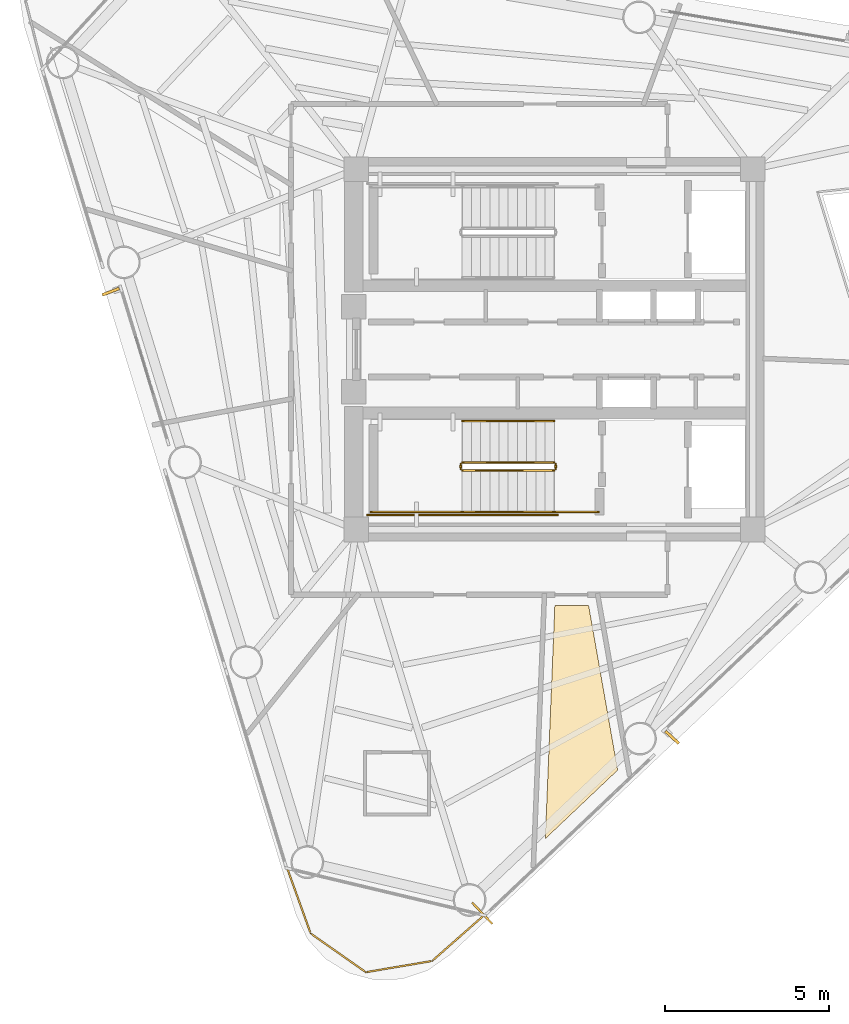
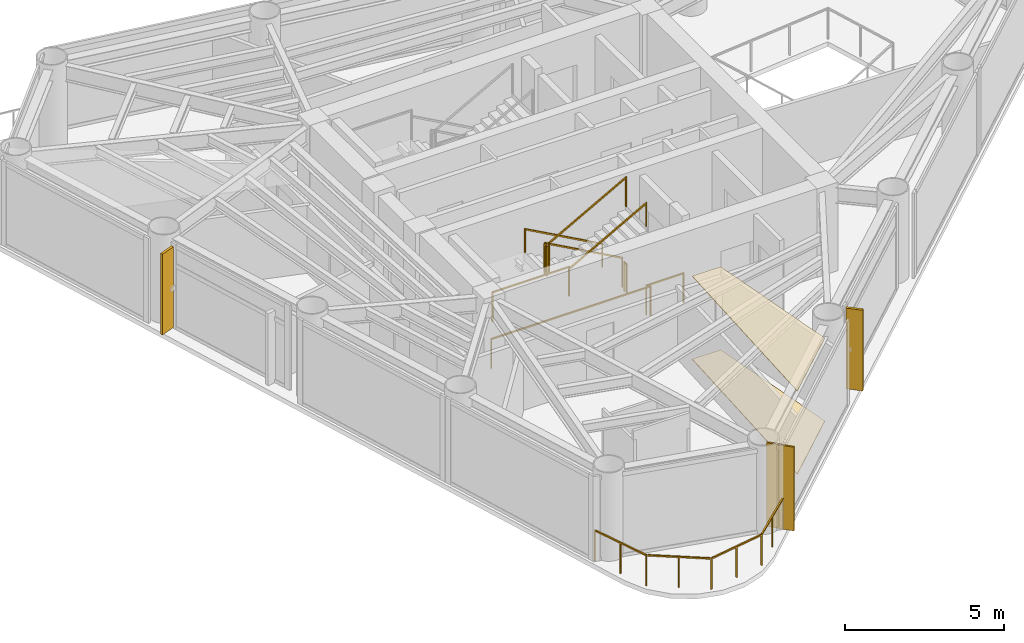
# One storey, part 7 of 9: 10 railings, 3 coverings, 2 shading devices.
"""IFC4 building model written with IfcOpenShell, lengths in metres."""

from ifc_helpers import new_model, si_unit, direction, frame, origin, origin_2d, place, context, subcontext, project, spatial, polyline, rectangle, outline, extrude, source, transform, mapped, material, layer, layer_set, material_profile, profile_set, type_object, element, save


model = new_model("IFC4")

# Units and contexts
model_context = context("Model", 3, precision=1e-05, world=origin(), true_north=direction((0.0, 1.0)))
body_context = subcontext(model_context, "Body", "Model", "MODEL_VIEW")
ifc_project = project(units=[si_unit("LENGTHUNIT", "METRE"), si_unit("AREAUNIT", "SQUARE_METRE"), si_unit("VOLUMEUNIT", "CUBIC_METRE"), si_unit("PLANEANGLEUNIT", "RADIAN"), si_unit("MASSUNIT", "GRAM", prefix="KILO")], contexts=[model_context])

# Site, building, storey
site_placement = place(None, origin())
site = spatial("IfcSite", under=ifc_project, at=site_placement, CompositionType="ELEMENT")
building_placement = place(site_placement, origin())
building = spatial("IfcBuilding", under=site, at=building_placement, Name="Yunling Apex Tower", CompositionType="ELEMENT")
storey_placement = place(building_placement, frame((0.0, 0.0, 245.64990234375)))
storey = spatial("IfcBuildingStorey", under=building, at=storey_placement, Name="L60", CompositionType="ELEMENT", Elevation=245.64990234375)

# Coverings
ifc_material_1 = material(Name="Acoustic mineral fibre ceiling")
ifc_layer_1 = layer(ifc_material_1, 0.02490234375)
ifc_layer_set_1 = layer_set([ifc_layer_1], Name="Acoustic mineral fibre ceiling")
covering_type_1 = type_object("IfcCoveringType", Name="CV-CLG-1", PredefinedType="CEILING", material=ifc_layer_set_1)
covering_1_placement = place(storey_placement, frame((0.0, 0.0, 3.195068359375)))
element("IfcCovering", 1, at=covering_1_placement, inside=storey, type_object=covering_type_1, Name="CV-CL-SP-L60-AMN3", PredefinedType="CEILING", context=body_context, shape_type="SweptSolid", body=[
    extrude(outline(polyline([(1.9296875, -12.84423828125), (-0.2783203125, -14.936767578125), (0.01171875, -7.820068359375), (1.043701171875, -7.820068359375), (1.9296875, -12.84423828125)])), origin(), (0.0, 0.0, 1.0), 0.025146484375),
])
ifc_material_2 = material(Name="Polished granite stone", Category="masonry")
ifc_layer_2 = layer(ifc_material_2, 0.030029296875)
ifc_layer_set_2 = layer_set([ifc_layer_2], Name="Polished granite stone")
covering_type_2 = type_object("IfcCoveringType", Name="CV-FLR-1", PredefinedType="FLOORING", material=ifc_layer_set_2)
covering_2_placement = place(storey_placement, origin())
element("IfcCovering", 2, at=covering_2_placement, inside=storey, type_object=covering_type_2, Name="CV-FL-SP-L60-AMN3", PredefinedType="FLOORING", context=body_context, shape_type="SweptSolid", body=[
    extrude(outline(polyline([(1.9296875, -12.84423828125), (-0.2783203125, -14.936767578125), (0.01171875, -7.820068359375), (1.043701171875, -7.820068359375), (1.9296875, -12.84423828125)])), origin(), (0.0, 0.0, 1.0), 0.030029296875),
])

# Railings
ifc_material_3 = material(Name="Bronze anodised aluminium", Category="aluminium")
railing_type_1 = type_object("IfcRailingType", Name="RL-BAL-1200", PredefinedType="BALUSTRADE", material=ifc_material_3)
railing_1_placement = place(storey_placement, frame((-2.147216796875, -17.2724609375, 0.0)))
element("IfcRailing", 3, at=railing_1_placement, inside=storey, type_object=railing_type_1, Name="RL-CRNSILL-L60-3", PredefinedType="BALUSTRADE", context=body_context, shape_type="SweptSolid", body=[
    extrude(rectangle(XDim=0.0439453125, YDim=0.0439453125, at=origin_2d()), origin(), (0.0, 0.0, 1.0), 1.199951171875),
    extrude(rectangle(XDim=0.0439453125, YDim=0.0439453125, at=origin_2d()), frame((-1.58740234375, -1.396728515625, 0.0)), (0.0, 0.0, 1.0), 1.199951171875),
    extrude(rectangle(XDim=0.050048828125, YDim=0.050048828125, at=origin_2d()), frame((-0.02880859375, -0.025390625, 1.1748046875), z_axis=(-0.750757036125, -0.660578437968, 0.0), x_axis=(0.660578437968, -0.750757036125, 0.0)), (0.0, 0.0, 1.0), 2.037841796875),
    extrude(rectangle(XDim=0.0439453125, YDim=0.0439453125, at=origin_2d()), frame((-0.793701171875, -0.6982421875, 0.0)), (0.0, 0.0, 1.0), 1.14599609375),
    extrude(rectangle(XDim=0.0439453125, YDim=0.0439453125, at=origin_2d()), frame((-3.609130859375, -1.738525390625, 0.0)), (0.0, 0.0, 1.0), 1.199951171875),
    extrude(rectangle(XDim=0.050048828125, YDim=0.050048828125, at=origin_2d()), frame((-1.625244140625, -1.403076171875, 1.1748046875), z_axis=(-0.986008296857, -0.166696246299, 0.0), x_axis=(0.166696246299, -0.986008296857, 0.0)), (0.0, 0.0, 1.0), 1.973876953125),
    extrude(rectangle(XDim=0.0439453125, YDim=0.0439453125, at=origin_2d()), frame((-2.59814453125, -1.567626953125, 0.0)), (0.0, 0.0, 1.0), 1.14599609375),
    extrude(rectangle(XDim=0.0439453125, YDim=0.0439453125, at=origin_2d()), frame((-5.29296875, -0.556884765625, 0.0)), (0.0, 0.0, 1.0), 1.199951171875),
    extrude(rectangle(XDim=0.050048828125, YDim=0.050048828125, at=origin_2d()), frame((-3.640625, -1.716552734375, 1.1748046875), z_axis=(-0.818556692462, 0.574425749096, 0.0), x_axis=(-0.574425749096, -0.818556692462, 0.0)), (0.0, 0.0, 1.0), 1.98046875),
    extrude(rectangle(XDim=0.0439453125, YDim=0.0439453125, at=origin_2d()), frame((-4.451171875, -1.147705078125, 0.0)), (0.0, 0.0, 1.0), 1.14599609375),
    extrude(rectangle(XDim=0.0439453125, YDim=0.0439453125, at=origin_2d()), frame((-6.0087890625, 1.431884765625, 0.0)), (0.0, 0.0, 1.0), 1.199951171875),
    extrude(rectangle(XDim=0.050048828125, YDim=0.050048828125, at=origin_2d()), frame((-5.305908203125, -0.520751953125, 1.1748046875), z_axis=(-0.338662205699, 0.940908024427, 0.0), x_axis=(-0.940908024427, -0.338662205699, 0.0)), (0.0, 0.0, 1.0), 2.037109375),
    extrude(rectangle(XDim=0.0439453125, YDim=0.0439453125, at=origin_2d()), frame((-5.65087890625, 0.4375, 0.0)), (0.0, 0.0, 1.0), 1.14599609375),
])
ifc_material_4 = material(Name="Steel Q355B", Category="steel")
railing_type_2 = type_object("IfcRailingType", Name="RL-GRD-1150", PredefinedType="GUARDRAIL", material=ifc_material_4)
railing_2_placement = place(storey_placement, frame((-0.010009765625, -3.449951171875, 0.154541015625)))
element("IfcRailing", 4, at=railing_2_placement, inside=storey, type_object=railing_type_2, Name="L60 ST-2 stair guard 1", PredefinedType="GUARDRAIL", context=body_context, shape_type="SweptSolid", body=[
    extrude(rectangle(XDim=0.0439453125, YDim=0.0439453125, at=origin_2d()), origin(), (0.0, 0.0, 1.0), 1.14990234375),
    extrude(rectangle(XDim=0.0439453125, YDim=0.0439453125, at=origin_2d()), frame((-2.800048828125, 0.0, 1.545654296875)), (0.0, 0.0, 1.0), 1.14990234375),
    extrude(rectangle(XDim=0.050048828125, YDim=0.050048828125, at=origin_2d()), frame((-0.033447265625, 0.0, 1.143310546875), z_axis=(-0.875471895205, 0.0, 0.483269035534), x_axis=(0.0, -1.0, 0.0)), (0.0, 0.0, 1.0), 3.12158203125),
])
railing_3_placement = place(storey_placement, frame((-2.860107421875, -3.5, 1.7001953125)))
element("IfcRailing", 5, at=railing_3_placement, inside=storey, type_object=railing_type_2, Name="L60 ST-2 stair guard 2", PredefinedType="GUARDRAIL", context=body_context, shape_type="SweptSolid", body=[
    extrude(rectangle(XDim=0.0439453125, YDim=0.0439453125, at=origin_2d()), origin(), (0.0, 0.0, 1.0), 1.14990234375),
    extrude(rectangle(XDim=0.0439453125, YDim=0.0439453125, at=origin_2d()), frame((0.0, -0.14990234375, 0.0)), (0.0, 0.0, 1.0), 1.14990234375),
    extrude(rectangle(XDim=0.050048828125, YDim=0.050048828125, at=origin_2d()), frame((0.0, -0.038330078125, 1.125), z_axis=(0.0, -1.0, 0.0), x_axis=(1.0, 0.0, 0.0)), (0.0, 0.0, 1.0), 0.0732421875),
])
railing_4_placement = place(storey_placement, frame((-2.81005859375, -4.9599609375, 1.7001953125)))
element("IfcRailing", 6, at=railing_4_placement, inside=storey, type_object=railing_type_2, Name="L60 ST-2 stair guard 3", PredefinedType="GUARDRAIL", context=body_context, shape_type="SweptSolid", body=[
    extrude(rectangle(XDim=0.0439453125, YDim=0.0439453125, at=origin_2d()), origin(), (0.0, 0.0, 1.0), 1.14990234375),
    extrude(rectangle(XDim=0.0439453125, YDim=0.0439453125, at=origin_2d()), frame((-2.7900390625, 0.0, 0.0)), (0.0, 0.0, 1.0), 1.14990234375),
    extrude(rectangle(XDim=0.050048828125, YDim=0.050048828125, at=origin_2d()), frame((-0.038330078125, 0.0, 1.125), z_axis=(-1.0, 0.0, 0.0), x_axis=(0.0, -1.0, 0.0)), (0.0, 0.0, 1.0), 2.71337890625),
])
railing_5_placement = place(storey_placement, frame((-2.81005859375, -3.699951171875, 1.854736328125)))
element("IfcRailing", 7, at=railing_5_placement, inside=storey, type_object=railing_type_2, Name="L60 ST-2 stair guard 4", PredefinedType="GUARDRAIL", context=body_context, shape_type="SweptSolid", body=[
    extrude(rectangle(XDim=0.0439453125, YDim=0.0439453125, at=origin_2d()), origin(), (0.0, 0.0, 1.0), 1.14990234375),
    extrude(rectangle(XDim=0.0439453125, YDim=0.0439453125, at=origin_2d()), frame((2.800048828125, 0.0, 1.54541015625)), (0.0, 0.0, 1.0), 1.14990234375),
    extrude(rectangle(XDim=0.050048828125, YDim=0.050048828125, at=origin_2d()), frame((0.033447265625, 0.0, 1.143310546875), z_axis=(0.875504190374, 0.0, 0.483210526207), x_axis=(0.0, 1.0, 0.0)), (0.0, 0.0, 1.0), 3.12158203125),
])
railing_6_placement = place(storey_placement, frame((0.0400390625, -3.5, 0.0)))
element("IfcRailing", 8, at=railing_6_placement, inside=storey, type_object=railing_type_2, Name="L60 ST-2 stair guard 5", PredefinedType="GUARDRAIL", context=body_context, shape_type="SweptSolid", body=[
    extrude(rectangle(XDim=0.0439453125, YDim=0.0439453125, at=origin_2d()), origin(), (0.0, 0.0, 1.0), 1.14990234375),
    extrude(rectangle(XDim=0.0439453125, YDim=0.0439453125, at=origin_2d()), frame((0.0, -0.14990234375, 0.0)), (0.0, 0.0, 1.0), 1.14990234375),
    extrude(rectangle(XDim=0.050048828125, YDim=0.050048828125, at=origin_2d()), frame((0.0, -0.038330078125, 1.125), z_axis=(0.0, -1.0, 0.0), x_axis=(1.0, 0.0, 0.0)), (0.0, 0.0, 1.0), 0.0732421875),
])
railing_7_placement = place(storey_placement, frame((1.35009765625, -4.9599609375, 0.0)))
element("IfcRailing", 9, at=railing_7_placement, inside=storey, type_object=railing_type_2, Name="L60 ST-2 stair guard 6", PredefinedType="GUARDRAIL", context=body_context, shape_type="SweptSolid", body=[
    extrude(rectangle(XDim=0.0439453125, YDim=0.0439453125, at=origin_2d()), origin(), (0.0, 0.0, 1.0), 1.14990234375),
    extrude(rectangle(XDim=0.0439453125, YDim=0.0439453125, at=origin_2d()), frame((-1.360107421875, 0.0, 0.0)), (0.0, 0.0, 1.0), 1.14990234375),
    extrude(rectangle(XDim=0.050048828125, YDim=0.050048828125, at=origin_2d()), frame((-0.038330078125, 0.0, 1.125), z_axis=(-1.0, 0.0, 0.0), x_axis=(0.0, -1.0, 0.0)), (0.0, 0.0, 1.0), 1.283447265625),
])
railing_8_placement = place(storey_placement, frame((0.090087890625, -5.06005859375, 0.0)))
element("IfcRailing", 10, at=railing_8_placement, inside=storey, type_object=railing_type_2, Name="L60 ST-2 stair guard 7", PredefinedType="GUARDRAIL", context=body_context, shape_type="SweptSolid", body=[
    extrude(rectangle(XDim=0.0439453125, YDim=0.0439453125, at=origin_2d()), origin(), (0.0, 0.0, 1.0), 1.14990234375),
    extrude(rectangle(XDim=0.0439453125, YDim=0.0439453125, at=origin_2d()), frame((-5.7900390625, 0.0, 0.0)), (0.0, 0.0, 1.0), 1.14990234375),
    extrude(rectangle(XDim=0.050048828125, YDim=0.050048828125, at=origin_2d()), frame((-0.038330078125, 0.0, 1.125), z_axis=(-1.0, 0.0, 0.0), x_axis=(0.0, -1.0, 0.0)), (0.0, 0.0, 1.0), 5.71337890625),
])
ifc_material_5 = material(Name="Silver anodised aluminium", Category="aluminium")
railing_type_3 = type_object("IfcRailingType", Name="RL-HND-900", PredefinedType="HANDRAIL", material=ifc_material_5)
railing_9_placement = place(storey_placement, frame((-0.010009765625, -2.18994140625, 0.154541015625)))
element("IfcRailing", 11, at=railing_9_placement, inside=storey, type_object=railing_type_3, Name="L60 ST-2 stair handrail 1", PredefinedType="HANDRAIL", context=body_context, shape_type="SweptSolid", body=[
    extrude(rectangle(XDim=0.0439453125, YDim=0.0439453125, at=origin_2d()), origin(), (0.0, 0.0, 1.0), 0.919921875),
    extrude(rectangle(XDim=0.0439453125, YDim=0.0439453125, at=origin_2d()), frame((-2.800048828125, 0.0, 1.545654296875)), (0.0, 0.0, 1.0), 0.919921875),
    extrude(rectangle(XDim=0.050048828125, YDim=0.050048828125, at=origin_2d()), frame((-0.033447265625, 0.0, 0.913330078125), z_axis=(-0.875471895205, 0.0, 0.483269035534), x_axis=(0.0, -1.0, 0.0)), (0.0, 0.0, 1.0), 3.12158203125),
])
railing_10_placement = place(storey_placement, frame((-2.81005859375, -4.9599609375, 1.854736328125)))
element("IfcRailing", 12, at=railing_10_placement, inside=storey, type_object=railing_type_3, Name="L60 ST-2 stair handrail 2", PredefinedType="HANDRAIL", context=body_context, shape_type="SweptSolid", body=[
    extrude(rectangle(XDim=0.0439453125, YDim=0.0439453125, at=origin_2d()), origin(), (0.0, 0.0, 1.0), 0.919921875),
    extrude(rectangle(XDim=0.0439453125, YDim=0.0439453125, at=origin_2d()), frame((2.800048828125, 0.0, 1.54541015625)), (0.0, 0.0, 1.0), 0.919921875),
    extrude(rectangle(XDim=0.050048828125, YDim=0.050048828125, at=origin_2d()), frame((0.033447265625, 0.0, 0.913330078125), z_axis=(0.875504190374, 0.0, 0.483210526207), x_axis=(0.0, 1.0, 0.0)), (0.0, 0.0, 1.0), 3.12158203125),
])

# Covering
ifc_layer_3 = layer(ifc_material_3, 0.0400390625)
ifc_layer_set_3 = layer_set([ifc_layer_3], Name="Bronze anodised aluminium")
covering_type_3 = type_object("IfcCoveringType", Name="CV-CLD-1", PredefinedType="CLADDING", material=ifc_layer_set_3)
shared_shape_1 = source(origin(), body_context, "Body", "SweptSolid", [
    extrude(rectangle(XDim=0.06005859375, YDim=0.89990234375, at=origin_2d()), origin(), (0.0, 0.0, 1.0), 3.219970703125),
])
covering_3_placement = place(storey_placement, frame((-2.2021484375, -17.21435546875, 0.0), z_axis=(0.0, 0.0, 1.0), x_axis=(0.725854756355, 0.687848001144, 0.0)))
element("IfcCovering", 13, at=covering_3_placement, inside=storey, type_object=covering_type_3, Name="CV-CLD-L60", PredefinedType="CLADDING", context=body_context, shape_type="MappedRepresentation", body=[
    mapped(shared_shape_1, transform((0.0, 0.0, 0.0), scale=1.0)),
])

# Shading devices
ifc_material_profile = material_profile(ifc_material_3, rectangle(XDim=0.0849609375, YDim=0.550048828125, at=origin_2d()))
ifc_profile_set = profile_set([ifc_material_profile], Name="Bronze anodised aluminium")
shading_device_type = type_object("IfcShadingDeviceType", Name="FN-BRZ-3", PredefinedType="USERDEFINED", material=ifc_profile_set)
shared_shape_2 = source(origin(), body_context, "Body", "SweptSolid", [
    extrude(rectangle(XDim=0.0849609375, YDim=0.550048828125, at=origin_2d()), origin(), (0.0, 0.0, 1.0), 3.10009765625),
])
for number, where, z_axis, x_axis, name in (
    (14, (3.591552734375, -11.841064453125, 0.06005859375), (0.0, 0.0, 1.0), (0.679313233894, 0.733848438205, 0.0), "CW-L60-F1-B2-FIN-01"),
    (15, (-13.5419921875, 1.759521484375, 0.06005859375), (0.0, 0.0, 1.0), (0.354291037998, -0.935135209686, 0.0), "CW-L60-F3-B2-FIN-01"),
):
    element("IfcShadingDevice", number, at=place(storey_placement, frame(where, z_axis=z_axis, x_axis=x_axis)), inside=storey, type_object=shading_device_type, Name=name, ObjectType="FIN", PredefinedType="USERDEFINED", context=body_context, shape_type="MappedRepresentation", body=[
        mapped(shared_shape_2, transform((0.0, 0.0, 0.0), scale=1.0)),
    ])

save(model, "model.ifc")
